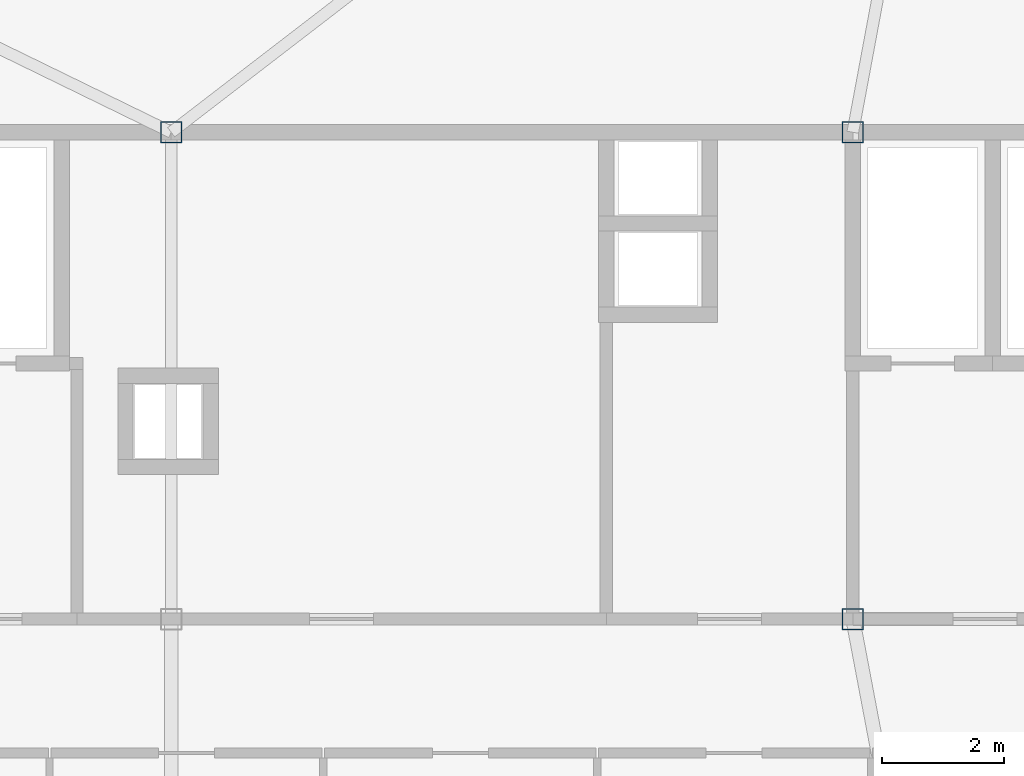
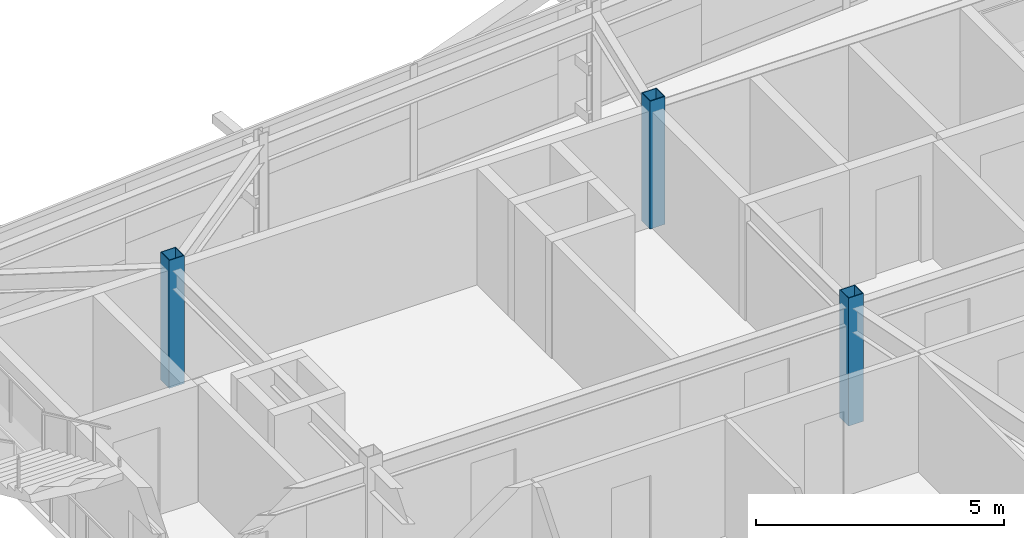
# One storey, part 3 of 39: 3 columns.
"""IFC4 building model written with IfcOpenShell, lengths in metres."""

from ifc_helpers import new_model, si_unit, direction, frame, origin, origin_2d, place, context, subcontext, project, spatial, hollow_rectangle, extrude, source, transform, mapped, material, material_profile, profile_set, type_object, element, save


model = new_model("IFC4")

# Units and contexts
model_context = context("Model", 3, precision=1e-05, world=origin(), true_north=direction((0.0, 1.0)))
body_context = subcontext(model_context, "Body", "Model", "MODEL_VIEW")
ifc_project = project(units=[si_unit("LENGTHUNIT", "METRE"), si_unit("AREAUNIT", "SQUARE_METRE"), si_unit("VOLUMEUNIT", "CUBIC_METRE"), si_unit("PLANEANGLEUNIT", "RADIAN"), si_unit("MASSUNIT", "GRAM", prefix="KILO")], contexts=[model_context])

# Site, building, storey
site_placement = place(None, origin())
site = spatial("IfcSite", under=ifc_project, at=site_placement, CompositionType="ELEMENT")
building_placement = place(site_placement, origin())
building = spatial("IfcBuilding", under=site, at=building_placement, Name="Taldren Reach Tower", CompositionType="ELEMENT")
storey_placement = place(building_placement, frame((0.0, 0.0, 204.050048828125)))
storey = spatial("IfcBuildingStorey", under=building, at=storey_placement, Name="L62", CompositionType="ELEMENT", Elevation=204.050048828125)

# Columns
ifc_material = material(Name="Steel Gr 450 (C450L0)", Category="steel")
ifc_material_profile = material_profile(ifc_material, hollow_rectangle(XDim=0.35009765625, YDim=0.35009765625, WallThickness=0.01611328125, at=origin_2d()), Name="350x350x16.0SHS")
ifc_profile_set = profile_set([ifc_material_profile], Name="Steel Gr 450 (C450L0)")
column_type = type_object("IfcColumnType", Name="COL-SHS350", PredefinedType="COLUMN", material=ifc_profile_set)
shared_shape = source(origin(), body_context, "Body", "SweptSolid", [
    extrude(hollow_rectangle(XDim=0.35009765625, YDim=0.35009765625, WallThickness=0.01611328125, at=origin_2d()), origin(), (0.0, 0.0, 1.0), 3.14990234375),
])
for number, where, z_axis, x_axis, name in (
    (1, (39.199951171875, 24.0, 0.0), (0.0, 0.0, 1.0), (1.0, 0.0, 0.0), "Mega column MC-C3 L62"),
    (2, (28.0, 32.0, 0.0), (0.0, 0.0, 1.0), (1.0, 0.0, 0.0), "Mega column MC-C6 L62"),
    (3, (39.199951171875, 32.0, 0.0), (0.0, 0.0, 1.0), (1.0, 0.0, 0.0), "Mega column MC-C7 L62"),
):
    element("IfcColumn", number, at=place(storey_placement, frame(where, z_axis=z_axis, x_axis=x_axis)), inside=storey, type_object=column_type, Name=name, PredefinedType="COLUMN", context=body_context, shape_type="MappedRepresentation", body=[
        mapped(shared_shape, transform((0.0, 0.0, 0.0), scale=1.0)),
    ])

save(model, "model.ifc")
